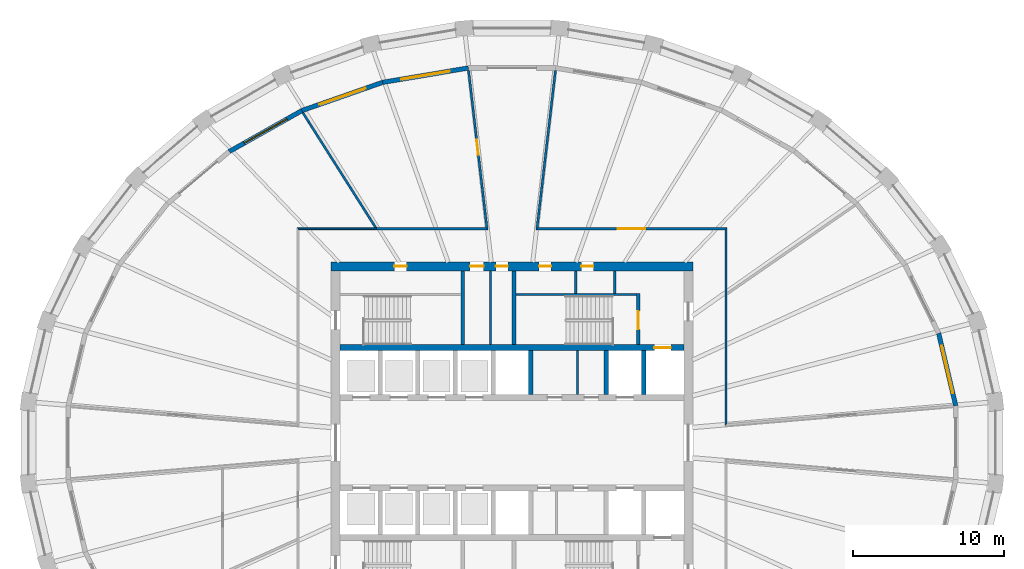
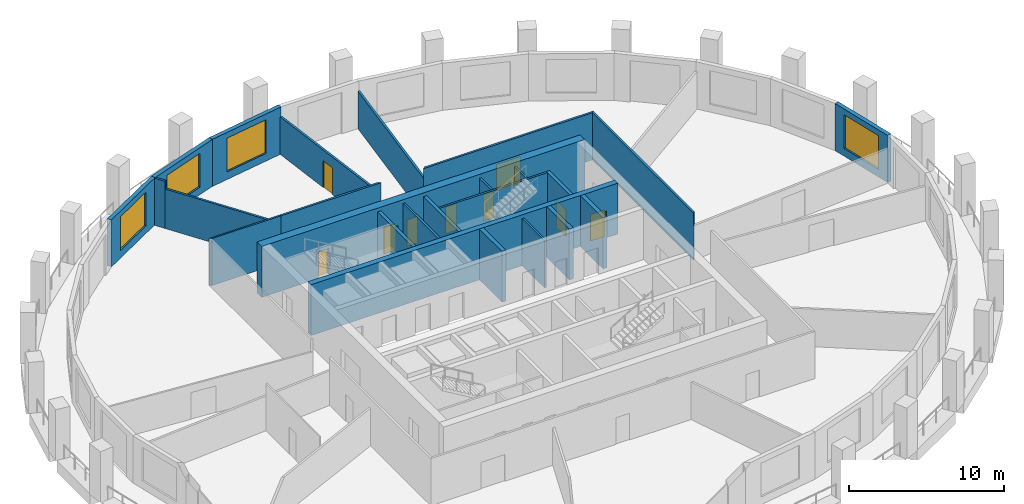
# One storey, part 6 of 10: 25 walls, 9 doors, 4 windows, 13 openings.
"""IFC4 building model written with IfcOpenShell, lengths in metres."""

from ifc_helpers import new_model, si_unit, direction, frame, frame_2d, origin, place, context, subcontext, project, spatial, polyline, rectangle, outline, extrude, material, layer, layer_set, type_object, element, fill, save


model = new_model("IFC4")

# Units and contexts
model_context = context("Model", 3, precision=1e-05, world=origin(), true_north=direction((0.0, 1.0)))
body_context = subcontext(model_context, "Body", "Model", "MODEL_VIEW")
ifc_project = project(units=[si_unit("LENGTHUNIT", "METRE"), si_unit("AREAUNIT", "SQUARE_METRE"), si_unit("VOLUMEUNIT", "CUBIC_METRE"), si_unit("PLANEANGLEUNIT", "RADIAN"), si_unit("MASSUNIT", "GRAM", prefix="KILO")], contexts=[model_context])

# Site, building, storey
site_placement = place(None, origin())
site = spatial("IfcSite", under=ifc_project, at=site_placement, CompositionType="ELEMENT")
building_placement = place(site_placement, origin())
building = spatial("IfcBuilding", under=site, at=building_placement, Name="Halqa Exchange Tower", CompositionType="ELEMENT")
storey_placement = place(building_placement, frame((0.0, 0.0, 206.89990234375)))
storey = spatial("IfcBuildingStorey", under=building, at=storey_placement, Name="L47", CompositionType="ELEMENT", Elevation=206.89990234375)

# Walls
ifc_material_1 = material(Name="Fire-rated gypsum board")
ifc_layer_1 = layer(ifc_material_1, 0.14990234375)
ifc_layer_set_1 = layer_set([ifc_layer_1], Name="Fire-rated gypsum board")
wall_type_1 = type_object("IfcWallType", Name="Fire partition EI 60 150", PredefinedType="PARTITIONING", material=ifc_layer_set_1)
wall_1_placement = place(storey_placement, frame((-9.022216796875, 14.235107421875, 0.0), z_axis=(0.0, 0.0, 1.0), x_axis=(-0.535448600055, 0.844567816519, 0.0)))
element("IfcWall", 1, at=wall_1_placement, inside=storey, type_object=wall_type_1, Name="L47-PWL-009", PredefinedType="PARTITIONING", context=body_context, shape_type="SweptSolid", body=[
    extrude(outline(polyline([(8.31884765625, 0.074951171875), (6.67041015625, 0.074951171875), (5.022216796875, 0.074951171875), (3.373779296875, 0.074951171875), (1.725341796875, 0.074951171875), (0.076904296875, 0.074951171875), (0.009033203125, -0.031982421875), (0.021728515625, -0.0400390625), (0.0, -0.074462890625), (0.0, -0.074951171875), (1.663818359375, -0.074951171875), (3.32763671875, -0.074951171875), (4.9912109375, -0.074951171875), (6.655029296875, -0.074951171875), (8.31884765625, -0.074951171875), (8.31884765625, 0.074951171875)])), origin(), (0.0, 0.0, 1.0), 3.10009765625),
])
wall_2_placement = place(storey_placement, frame((-9.0, 14.199951171875, 0.0), z_axis=(0.0, 0.0, 1.0), x_axis=(1.0, 0.0, 0.0)))
element("IfcWall", 2, at=wall_2_placement, inside=storey, type_object=wall_type_1, Name="L47-PWL-010", PredefinedType="PARTITIONING", context=body_context, shape_type="SweptSolid", body=[
    extrude(outline(polyline([(0.0, -0.074951171875), (1.85595703125, -0.074951171875), (3.712158203125, -0.074951171875), (5.568115234375, -0.074951171875), (7.42431640625, -0.074951171875), (7.255859375, 0.074951171875), (5.44189453125, 0.074951171875), (3.6279296875, 0.074951171875), (1.81396484375, 0.074951171875), (0.0, 0.074951171875), (0.0, -0.074951171875)])), origin(), (0.0, 0.0, 1.0), 3.7001953125),
])

# Wall, opening, door
wall_3_placement = place(storey_placement, frame((-1.650146484375, 14.1162109375, 0.0), z_axis=(0.0, 0.0, 1.0), x_axis=(-0.115779808049, 0.99327490457, 0.0)))
wall_3 = element("IfcWall", 3, at=wall_3_placement, inside=storey, type_object=wall_type_1, Name="L47-PWL-012", PredefinedType="PARTITIONING", context=body_context, shape_type="SweptSolid", body=[
    extrude(outline(polyline([(0.0, -0.074951171875), (1.776611328125, -0.074951171875), (3.552978515625, -0.074951171875), (5.329345703125, -0.074951171875), (7.105712890625, -0.074951171875), (8.88232421875, -0.074951171875), (10.65869140625, -0.074951171875), (10.66357421875, -0.032958984375), (10.66357421875, 0.074951171875), (8.914306640625, 0.074951171875), (7.165283203125, 0.074951171875), (5.416015625, 0.074951171875), (3.666748046875, 0.074951171875), (1.917724609375, 0.074951171875), (0.16845703125, 0.074951171875), (0.08447265625, 0.0), (0.0, -0.074951171875)])), origin(), (0.0, 0.0, 1.0), 2.947021484375),
])
opening_1_placement = place(wall_3_placement, frame((5.02587890625, 0.0, 0.0)))
opening_1 = element("IfcOpeningElement", 4, at=opening_1_placement, cuts=wall_3, Name="Opening 14-01", PredefinedType="OPENING", context=body_context, shape_type="SweptSolid", body=[
    extrude(rectangle(XDim=1.0, YDim=2.10009765625, at=frame_2d((0.5, 1.050048828125))), frame((0.0, 0.0869140625, 0.0), z_axis=(0.0, -1.0, 0.0), x_axis=(1.0, 0.0, 0.0)), (0.0, 0.0, 1.0), 0.173828125),
])
ifc_material_2 = material(Name="Steel fire door leaf", Category="steel")
door_type_1 = type_object("IfcDoorType", Name="Fire door FD30S 1000 x 2100", OperationType="SINGLE_SWING_LEFT", PredefinedType="DOOR", material=ifc_material_2)
door_1_placement = place(opening_1_placement, origin())
door_1 = element("IfcDoor", 5, at=door_1_placement, inside=storey, type_object=door_type_1, Name="L47-IDR-001", OperationType="SINGLE_SWING_LEFT", OverallHeight=2.10009765625, OverallWidth=1.0, PredefinedType="DOOR", context=body_context, shape_type="SweptSolid", body=[
    extrude(rectangle(XDim=1.0, YDim=2.10009765625, at=frame_2d((0.5, 1.050048828125))), frame((0.0, 0.02490234375, 0.0), z_axis=(0.0, -1.0, 0.0), x_axis=(1.0, 0.0, 0.0)), (0.0, 0.0, 1.0), 0.050048828125),
])
fill(opening_1, door_1)

wall_4_placement = place(storey_placement, frame((1.57568359375, 14.199951171875, 0.0), z_axis=(0.0, 0.0, 1.0), x_axis=(1.0, 0.0, 0.0)))
wall_4 = element("IfcWall", 6, at=wall_4_placement, inside=storey, type_object=wall_type_1, Name="L47-PWL-013", PredefinedType="PARTITIONING", context=body_context, shape_type="SweptSolid", body=[
    extrude(outline(polyline([(0.0, -0.074951171875), (1.792724609375, -0.074951171875), (3.58544921875, -0.074951171875), (5.37841796875, -0.074951171875), (7.171142578125, -0.074951171875), (8.9638671875, -0.074951171875), (10.756591796875, -0.074951171875), (12.54931640625, -0.074951171875), (12.69921875, 0.074951171875), (10.9091796875, 0.074951171875), (9.118896484375, 0.074951171875), (7.328857421875, 0.074951171875), (5.538818359375, 0.074951171875), (3.748779296875, 0.074951171875), (1.95849609375, 0.074951171875), (0.16845703125, 0.074951171875), (0.0, -0.074951171875)])), origin(), (0.0, 0.0, 1.0), 3.7001953125),
])
opening_2_placement = place(wall_4_placement, frame((5.4541015625, 0.0, 0.0)))
opening_2 = element("IfcOpeningElement", 7, at=opening_2_placement, cuts=wall_4, Name="Opening 14-09", PredefinedType="OPENING", context=body_context, shape_type="SweptSolid", body=[
    extrude(rectangle(XDim=1.800048828125, YDim=2.10009765625, at=frame_2d((0.89990234375, 1.050048828125))), frame((0.0, 0.0869140625, 0.0), z_axis=(0.0, -1.0, 0.0), x_axis=(1.0, 0.0, 0.0)), (0.0, 0.0, 1.0), 0.173828125),
])
door_type_2 = type_object("IfcDoorType", Name="Fire door FD30S double 1800 x 2100", OperationType="DOUBLE_DOOR_SINGLE_SWING", PredefinedType="DOOR", material=ifc_material_2)
door_2_placement = place(opening_2_placement, origin())
door_2 = element("IfcDoor", 8, at=door_2_placement, inside=storey, type_object=door_type_2, Name="L47-IDR-009", OperationType="DOUBLE_DOOR_SINGLE_SWING", OverallHeight=2.10009765625, OverallWidth=1.800048828125, PredefinedType="DOOR", context=body_context, shape_type="SweptSolid", body=[
    extrude(rectangle(XDim=1.800048828125, YDim=2.10009765625, at=frame_2d((0.89990234375, 1.050048828125))), frame((0.0, 0.02490234375, 0.0), z_axis=(0.0, -1.0, 0.0), x_axis=(1.0, 0.0, 0.0)), (0.0, 0.0, 1.0), 0.050048828125),
])
fill(opening_2, door_2)

# Walls
wall_5_placement = place(storey_placement, frame((2.884765625, 24.7080078125, 0.0), z_axis=(0.0, 0.0, 1.0), x_axis=(-0.115779808049, -0.99327490457, 0.0)))
element("IfcWall", 9, at=wall_5_placement, inside=storey, type_object=wall_type_1, Name="L47-PWL-014", PredefinedType="PARTITIONING", context=body_context, shape_type="SweptSolid", body=[
    extrude(outline(polyline([(0.0048828125, -0.074951171875), (1.78125, -0.074951171875), (3.5576171875, -0.074951171875), (5.334228515625, -0.074951171875), (7.110595703125, -0.074951171875), (8.886962890625, -0.074951171875), (10.663330078125, -0.074951171875), (10.5791015625, 0.0), (10.4951171875, 0.074951171875), (8.745849609375, 0.074951171875), (6.99658203125, 0.074951171875), (5.24755859375, 0.074951171875), (3.498291015625, 0.074951171875), (1.749267578125, 0.074951171875), (0.0, 0.074951171875), (0.0, -0.03369140625), (0.0048828125, -0.074951171875)])), origin(), (0.0, 0.0, 1.0), 2.947021484375),
])
wall_6_placement = place(storey_placement, frame((14.199951171875, 1.098388671875, 0.0), z_axis=(0.0, 0.0, 1.0), x_axis=(0.0, 1.0, 0.0)))
element("IfcWall", 10, at=wall_6_placement, inside=storey, type_object=wall_type_1, Name="L47-PWL-018", PredefinedType="PARTITIONING", context=body_context, shape_type="SweptSolid", body=[
    extrude(outline(polyline([(0.1630859375, -0.074951171875), (2.02197265625, -0.074951171875), (3.881103515625, -0.074951171875), (5.740234375, -0.074951171875), (7.599365234375, -0.074951171875), (9.458251953125, -0.074951171875), (11.3173828125, -0.074951171875), (13.176513671875, -0.074951171875), (13.026611328125, 0.074951171875), (11.165771484375, 0.074951171875), (9.3046875, 0.074951171875), (7.44384765625, 0.074951171875), (5.5830078125, 0.074951171875), (3.721923828125, 0.074951171875), (1.861083984375, 0.074951171875), (0.0, 0.074951171875), (0.1630859375, -0.074951171875)])), origin(), (0.0, 0.0, 1.0), 3.7001953125),
])
wall_7_placement = place(storey_placement, frame((-13.4765625, 21.260986328125, 0.0), z_axis=(0.0, 0.0, 1.0), x_axis=(-0.53535127514, 0.844629511802, 0.0)))
element("IfcWall", 11, at=wall_7_placement, inside=storey, type_object=wall_type_1, Name="L47-PWL-022", PredefinedType="PARTITIONING", context=body_context, shape_type="SweptSolid", body=[
    extrude(outline(polyline([(0.0, -0.074951171875), (0.73681640625, -0.074951171875), (0.753173828125, -0.004150390625), (0.757080078125, 0.069580078125), (0.757080078125, 0.074951171875), (0.0, 0.074951171875), (0.0, -0.074951171875)])), origin(), (0.0, 0.0, 1.0), 3.7001953125),
])
ifc_material_3 = material(Name="Fire-rated glazing", Category="glass")
ifc_layer_2 = layer(ifc_material_3, 0.1201171875)
ifc_layer_set_2 = layer_set([ifc_layer_2], Name="Fire-rated glazing")
wall_type_2 = type_object("IfcWallType", Name="Glazed fire partition EI 60 120", PredefinedType="PARTITIONING", material=ifc_layer_set_2)
wall_8_placement = place(storey_placement, frame((-14.260009765625, 14.199951171875, 0.0), z_axis=(0.0, 0.0, 1.0), x_axis=(1.0, 0.0, 0.0)))
element("IfcWall", 12, at=wall_8_placement, inside=storey, type_object=wall_type_2, Name="L47-PWL-008", PredefinedType="PARTITIONING", context=body_context, shape_type="SweptSolid", body=[
    extrude(outline(polyline([(5.260009765625, 0.06005859375), (3.506591796875, 0.06005859375), (1.75341796875, 0.06005859375), (0.0, 0.06005859375), (0.1201171875, -0.06005859375), (1.83349609375, -0.06005859375), (3.546630859375, -0.06005859375), (5.260009765625, -0.06005859375), (5.260009765625, 0.06005859375)])), origin(), (0.0, 0.0, 1.0), 3.7001953125),
])
ifc_material_4 = material(Name="Gypsum board")
ifc_layer_3 = layer(ifc_material_4, 0.14990234375)
ifc_layer_set_3 = layer_set([ifc_layer_3], Name="Gypsum board")
wall_type_3 = type_object("IfcWallType", Name="Penthouse riser wall 150 gypsum", PredefinedType="PARTITIONING", material=ifc_layer_set_3)
wall_9_placement = place(storey_placement, frame((-1.425048828125, 6.5, 0.0), z_axis=(0.0, 0.0, 1.0), x_axis=(0.0, 1.0, 0.0)))
element("IfcWall", 13, at=wall_9_placement, inside=storey, type_object=wall_type_3, Name="Partition W1.425 N", PredefinedType="PARTITIONING", context=body_context, shape_type="SweptSolid", body=[
    extrude(rectangle(XDim=4.89990234375, YDim=0.14990234375, at=frame_2d((2.449951171875, 0.0))), origin(), (0.0, 0.0, 1.0), 3.7001953125),
])
for number, where, z_axis, x_axis, name in (
    (14, (4.22509765625, 9.89990234375, 0.0), (0.0, 0.0, 1.0), (0.0, 1.0, 0.0), "Partition E4.225 N"),
    (15, (6.824951171875, 9.89990234375, 0.0), (0.0, 0.0, 1.0), (0.0, 1.0, 0.0), "Firefighting lobby west wall N"),
):
    element("IfcWall", number, at=place(storey_placement, frame(where, z_axis=z_axis, x_axis=x_axis)), inside=storey, type_object=wall_type_3, Name=name, PredefinedType="PARTITIONING", context=body_context, shape_type="SweptSolid", body=[
        extrude(rectangle(XDim=1.5, YDim=0.14990234375, at=frame_2d((0.75, 0.0))), origin(), (0.0, 0.0, 1.0), 3.7001953125),
    ])
wall_10_placement = place(storey_placement, frame((4.35009765625, 3.199951171875, 0.0), z_axis=(0.0, 0.0, 1.0), x_axis=(0.0, 1.0, 0.0)))
element("IfcWall", 16, at=wall_10_placement, inside=storey, type_object=wall_type_3, Name="Freed bay partition NE4.350", PredefinedType="PARTITIONING", context=body_context, shape_type="SweptSolid", body=[
    extrude(rectangle(XDim=2.900146484375, YDim=0.14990234375, at=frame_2d((1.4501953125, 0.0))), origin(), (0.0, 0.0, 1.0), 3.7001953125),
])
ifc_material_5 = material(Name="Concrete C60/75", Category="concrete")
ifc_layer_4 = layer(ifc_material_5, 0.300048828125)
ifc_layer_set_4 = layer_set([ifc_layer_4], Name="Concrete C60/75")
wall_type_4 = type_object("IfcWallType", Name="RC core wall 300", PredefinedType="SHEAR", material=ifc_layer_set_4)
for number, where, z_axis, x_axis, name in (
    (17, (1.25, 3.199951171875, 0.0), (0.0, 0.0, 1.0), (0.0, 1.0, 0.0), "Shaft divider N5"),
    (18, (6.25, 3.199951171875, 0.0), (0.0, 0.0, 1.0), (0.0, 1.0, 0.0), "Shaft divider N7"),
    (19, (8.75, 3.199951171875, 0.0), (0.0, 0.0, 1.0), (0.0, 1.0, 0.0), "Shaft divider N8"),
):
    element("IfcWall", number, at=place(storey_placement, frame(where, z_axis=z_axis, x_axis=x_axis)), inside=storey, type_object=wall_type_4, Name=name, PredefinedType="SHEAR", context=body_context, shape_type="SweptSolid", body=[
        extrude(rectangle(XDim=2.900146484375, YDim=0.300048828125, at=frame_2d((1.4501953125, 0.0))), origin(), (0.0, 0.0, 1.0), 4.0),
    ])

# Wall, opening, door
ifc_material_6 = material(Name="Concrete C70/85", Category="concrete")
ifc_layer_5 = layer(ifc_material_6, 0.39990234375)
ifc_layer_set_5 = layer_set([ifc_layer_5], Name="Concrete C70/85")
wall_type_5 = type_object("IfcWallType", Name="RC core wall 400 C70/85", PredefinedType="SHEAR", material=ifc_layer_set_5)
wall_11_placement = place(storey_placement, frame((-11.39990234375, 6.300048828125, 0.0), z_axis=(0.0, 0.0, 1.0), x_axis=(1.0, 0.0, 0.0)))
wall_11 = element("IfcWall", 20, at=wall_11_placement, inside=storey, type_object=wall_type_5, Name="Lift row back wall N", PredefinedType="SHEAR", context=body_context, shape_type="SweptSolid", body=[
    extrude(rectangle(XDim=22.7998046875, YDim=0.39990234375, at=frame_2d((11.39990234375, 0.0))), origin(), (0.0, 0.0, 1.0), 4.0),
])
opening_3_placement = place(wall_11_placement, frame((20.85009765625, 0.0, 0.0)))
opening_3 = element("IfcOpeningElement", 21, at=opening_3_placement, cuts=wall_11, Name="Opening LD-FF1-T14", PredefinedType="OPENING", context=body_context, shape_type="SweptSolid", body=[
    extrude(rectangle(XDim=1.10009765625, YDim=2.10009765625, at=frame_2d((0.550048828125, 1.050048828125))), frame((0.0, 0.2119140625, 0.0), z_axis=(0.0, -1.0, 0.0), x_axis=(1.0, 0.0, 0.0)), (0.0, 0.0, 1.0), 0.423828125),
])
ifc_material_7 = material(Name="Stainless steel", Category="steel")
door_type_3 = type_object("IfcDoorType", Name="Lift landing door 1100 x 2100", OperationType="SLIDING_TO_LEFT", PredefinedType="DOOR", material=ifc_material_7)
door_3_placement = place(opening_3_placement, origin())
door_3 = element("IfcDoor", 22, at=door_3_placement, inside=storey, type_object=door_type_3, Name="Lift landing door FF1", OperationType="SLIDING_TO_LEFT", OverallHeight=2.10009765625, OverallWidth=1.10009765625, PredefinedType="DOOR", context=body_context, shape_type="SweptSolid", body=[
    extrude(rectangle(XDim=1.10009765625, YDim=2.10009765625, at=frame_2d((0.550048828125, 1.050048828125))), frame((0.0, 0.02490234375, 0.0), z_axis=(0.0, -1.0, 0.0), x_axis=(1.0, 0.0, 0.0)), (0.0, 0.0, 1.0), 0.050048828125),
])
fill(opening_3, door_3)

# Wall, openings, doors
ifc_layer_6 = layer(ifc_material_6, 0.60009765625)
ifc_layer_set_6 = layer_set([ifc_layer_6], Name="Concrete C70/85")
wall_type_6 = type_object("IfcWallType", Name="RC core wall 600 C70/85", PredefinedType="SHEAR", material=ifc_layer_set_6)
wall_12_placement = place(storey_placement, frame((-12.0, 11.699951171875, 0.0), z_axis=(0.0, 0.0, 1.0), x_axis=(1.0, 0.0, 0.0)))
wall_12 = element("IfcWall", 23, at=wall_12_placement, inside=storey, type_object=wall_type_6, Name="Core wall north", PredefinedType="SHEAR", context=body_context, shape_type="SweptSolid", body=[
    extrude(rectangle(XDim=24.0, YDim=0.60009765625, at=frame_2d((12.0, 0.0))), origin(), (0.0, 0.0, 1.0), 4.0),
])
opening_4_placement = place(wall_12_placement, frame((9.22509765625, 0.0, 0.0)))
opening_4 = element("IfcOpeningElement", 24, at=opening_4_placement, cuts=wall_12, Name="Opening T14-C21", PredefinedType="OPENING", context=body_context, shape_type="SweptSolid", body=[
    extrude(rectangle(XDim=0.89990234375, YDim=2.10009765625, at=frame_2d((0.449951171875, 1.050048828125))), frame((0.0, 0.31201171875, 0.0), z_axis=(0.0, -1.0, 0.0), x_axis=(1.0, 0.0, 0.0)), (0.0, 0.0, 1.0), 0.6240234375),
])
opening_5_placement = place(wall_12_placement, frame((10.925048828125, 0.0, 0.0)))
opening_5 = element("IfcOpeningElement", 25, at=opening_5_placement, cuts=wall_12, Name="Opening T14-C22", PredefinedType="OPENING", context=body_context, shape_type="SweptSolid", body=[
    extrude(rectangle(XDim=0.800048828125, YDim=2.10009765625, at=frame_2d((0.39990234375, 1.050048828125))), frame((0.0, 0.31201171875, 0.0), z_axis=(0.0, -1.0, 0.0), x_axis=(1.0, 0.0, 0.0)), (0.0, 0.0, 1.0), 0.6240234375),
])
opening_6_placement = place(wall_12_placement, frame((4.199951171875, 0.0, 0.0)))
opening_6 = element("IfcOpeningElement", 26, at=opening_6_placement, cuts=wall_12, Name="Opening T14-C23", PredefinedType="OPENING", context=body_context, shape_type="SweptSolid", body=[
    extrude(rectangle(XDim=0.800048828125, YDim=2.10009765625, at=frame_2d((0.39990234375, 1.050048828125))), frame((0.0, 0.31201171875, 0.0), z_axis=(0.0, -1.0, 0.0), x_axis=(1.0, 0.0, 0.0)), (0.0, 0.0, 1.0), 0.6240234375),
])
opening_7_placement = place(wall_12_placement, frame((13.800048828125, 0.0, 0.0)))
opening_7 = element("IfcOpeningElement", 27, at=opening_7_placement, cuts=wall_12, Name="Opening T14-C24", PredefinedType="OPENING", context=body_context, shape_type="SweptSolid", body=[
    extrude(rectangle(XDim=0.800048828125, YDim=2.10009765625, at=frame_2d((0.39990234375, 1.050048828125))), frame((0.0, 0.31201171875, 0.0), z_axis=(0.0, -1.0, 0.0), x_axis=(1.0, 0.0, 0.0)), (0.0, 0.0, 1.0), 0.6240234375),
])
opening_8_placement = place(wall_12_placement, frame((16.60009765625, 0.0, 0.0)))
opening_8 = element("IfcOpeningElement", 28, at=opening_8_placement, cuts=wall_12, Name="Opening T14-C25", PredefinedType="OPENING", context=body_context, shape_type="SweptSolid", body=[
    extrude(rectangle(XDim=0.800048828125, YDim=2.10009765625, at=frame_2d((0.39990234375, 1.050048828125))), frame((0.0, 0.31201171875, 0.0), z_axis=(0.0, -1.0, 0.0), x_axis=(1.0, 0.0, 0.0)), (0.0, 0.0, 1.0), 0.6240234375),
])
ifc_material_8 = material(Name="Timber fire door leaf", Category="wood")
door_type_4 = type_object("IfcDoorType", Name="Core room door FD30 900 x 2100", OperationType="SINGLE_SWING_LEFT", PredefinedType="DOOR", material=ifc_material_8)
door_4_placement = place(opening_4_placement, frame((0.89990234375, 0.0, 0.0), z_axis=(0.0, 0.0, 1.0), x_axis=(-1.0, 0.0, 0.0)))
door_4 = element("IfcDoor", 29, at=door_4_placement, inside=storey, type_object=door_type_4, Name="Core room door", OperationType="SINGLE_SWING_RIGHT", OverallHeight=2.10009765625, OverallWidth=0.89990234375, PredefinedType="DOOR", context=body_context, shape_type="SweptSolid", body=[
    extrude(rectangle(XDim=0.89990234375, YDim=2.10009765625, at=frame_2d((0.449951171875, 1.050048828125))), frame((0.0, 0.02490234375, 0.0), z_axis=(0.0, -1.0, 0.0), x_axis=(1.0, 0.0, 0.0)), (0.0, 0.0, 1.0), 0.050048828125),
])
fill(opening_4, door_4)
door_type_5 = type_object("IfcDoorType", Name="Riser door FD60 800 x 2100", OperationType="SINGLE_SWING_LEFT", PredefinedType="DOOR", material=ifc_material_2)
door_5_placement = place(opening_5_placement, frame((0.800048828125, 0.0, 0.0), z_axis=(0.0, 0.0, 1.0), x_axis=(-1.0, 0.0, 0.0)))
door_5 = element("IfcDoor", 30, at=door_5_placement, inside=storey, type_object=door_type_5, Name="Core room door", OperationType="SINGLE_SWING_RIGHT", OverallHeight=2.10009765625, OverallWidth=0.800048828125, PredefinedType="DOOR", context=body_context, shape_type="SweptSolid", body=[
    extrude(rectangle(XDim=0.800048828125, YDim=2.10009765625, at=frame_2d((0.39990234375, 1.050048828125))), frame((0.0, 0.02490234375, 0.0), z_axis=(0.0, -1.0, 0.0), x_axis=(1.0, 0.0, 0.0)), (0.0, 0.0, 1.0), 0.050048828125),
])
fill(opening_5, door_5)
door_6_placement = place(opening_6_placement, frame((0.800048828125, 0.0, 0.0), z_axis=(0.0, 0.0, 1.0), x_axis=(-1.0, 0.0, 0.0)))
door_6 = element("IfcDoor", 31, at=door_6_placement, inside=storey, type_object=door_type_5, Name="Core room door", OperationType="SINGLE_SWING_RIGHT", OverallHeight=2.10009765625, OverallWidth=0.800048828125, PredefinedType="DOOR", context=body_context, shape_type="SweptSolid", body=[
    extrude(rectangle(XDim=0.800048828125, YDim=2.10009765625, at=frame_2d((0.39990234375, 1.050048828125))), frame((0.0, 0.02490234375, 0.0), z_axis=(0.0, -1.0, 0.0), x_axis=(1.0, 0.0, 0.0)), (0.0, 0.0, 1.0), 0.050048828125),
])
fill(opening_6, door_6)
door_7_placement = place(opening_7_placement, frame((0.800048828125, 0.0, 0.0), z_axis=(0.0, 0.0, 1.0), x_axis=(-1.0, 0.0, 0.0)))
door_7 = element("IfcDoor", 32, at=door_7_placement, inside=storey, type_object=door_type_5, Name="Core room door", OperationType="SINGLE_SWING_LEFT", OverallHeight=2.10009765625, OverallWidth=0.800048828125, PredefinedType="DOOR", context=body_context, shape_type="SweptSolid", body=[
    extrude(rectangle(XDim=0.800048828125, YDim=2.10009765625, at=frame_2d((0.39990234375, 1.050048828125))), frame((0.0, 0.02490234375, 0.0), z_axis=(0.0, -1.0, 0.0), x_axis=(1.0, 0.0, 0.0)), (0.0, 0.0, 1.0), 0.050048828125),
])
fill(opening_7, door_7)
door_8_placement = place(opening_8_placement, frame((0.800048828125, 0.0, 0.0), z_axis=(0.0, 0.0, 1.0), x_axis=(-1.0, 0.0, 0.0)))
door_8 = element("IfcDoor", 33, at=door_8_placement, inside=storey, type_object=door_type_5, Name="Core room door", OperationType="SINGLE_SWING_LEFT", OverallHeight=2.10009765625, OverallWidth=0.800048828125, PredefinedType="DOOR", context=body_context, shape_type="SweptSolid", body=[
    extrude(rectangle(XDim=0.800048828125, YDim=2.10009765625, at=frame_2d((0.39990234375, 1.050048828125))), frame((0.0, 0.02490234375, 0.0), z_axis=(0.0, -1.0, 0.0), x_axis=(1.0, 0.0, 0.0)), (0.0, 0.0, 1.0), 0.050048828125),
])
fill(opening_8, door_8)

# Walls
ifc_material_9 = material(Name="Concrete C30/37", Category="concrete")
ifc_layer_7 = layer(ifc_material_9, 0.14990234375)
ifc_layer_set_7 = layer_set([ifc_layer_7], Name="Concrete C30/37")
wall_type_7 = type_object("IfcWallType", Name="RC stair wall 150 C30/37", PredefinedType="SHEAR", material=ifc_layer_set_7)
wall_13_placement = place(storey_placement, frame((0.25, 9.824951171875, 0.0), z_axis=(0.0, 0.0, 1.0), x_axis=(1.0, 0.0, 0.0)))
element("IfcWall", 34, at=wall_13_placement, inside=storey, type_object=wall_type_7, Name="Stair ST2 north wall N", PredefinedType="SHEAR", context=body_context, shape_type="SweptSolid", body=[
    extrude(rectangle(XDim=8.0, YDim=0.14990234375, at=frame_2d((4.0, 0.0))), origin(), (0.0, 0.0, 1.0), 3.7001953125),
])
ifc_layer_8 = layer(ifc_material_9, 0.25)
ifc_layer_set_8 = layer_set([ifc_layer_8], Name="Concrete C30/37")
wall_type_8 = type_object("IfcWallType", Name="RC stair wall 250 C30/37", PredefinedType="SHEAR", material=ifc_layer_set_8)
for number, where, z_axis, x_axis, name in (
    (35, (-3.27490234375, 6.5, 0.0), (0.0, 0.0, 1.0), (0.0, 1.0, 0.0), "Stair ST1 east wall N"),
    (36, (0.125, 6.5, 0.0), (0.0, 0.0, 1.0), (0.0, 1.0, 0.0), "Stair ST2 west wall N"),
):
    element("IfcWall", number, at=place(storey_placement, frame(where, z_axis=z_axis, x_axis=x_axis)), inside=storey, type_object=wall_type_8, Name=name, PredefinedType="SHEAR", context=body_context, shape_type="SweptSolid", body=[
        extrude(rectangle(XDim=4.89990234375, YDim=0.25, at=frame_2d((2.449951171875, 0.0))), origin(), (0.0, 0.0, 1.0), 3.7001953125),
    ])

# Wall, opening, door
wall_14_placement = place(storey_placement, frame((8.375, 6.5, 0.0), z_axis=(0.0, 0.0, 1.0), x_axis=(0.0, 1.0, 0.0)))
wall_14 = element("IfcWall", 37, at=wall_14_placement, inside=storey, type_object=wall_type_8, Name="Stair ST2 east wall N", PredefinedType="SHEAR", context=body_context, shape_type="SweptSolid", body=[
    extrude(rectangle(XDim=3.39990234375, YDim=0.25, at=frame_2d((1.699951171875, 0.0))), origin(), (0.0, 0.0, 1.0), 3.7001953125),
])
opening_9_placement = place(wall_14_placement, frame((1.02490234375, 0.0, 0.0)))
opening_9 = element("IfcOpeningElement", 38, at=opening_9_placement, cuts=wall_14, Name="Opening T14-C16", PredefinedType="OPENING", context=body_context, shape_type="SweptSolid", body=[
    extrude(rectangle(XDim=1.199951171875, YDim=2.10009765625, at=frame_2d((0.60009765625, 1.050048828125))), frame((0.0, 0.136962890625, 0.0), z_axis=(0.0, -1.0, 0.0), x_axis=(1.0, 0.0, 0.0)), (0.0, 0.0, 1.0), 0.27392578125),
])
door_type_6 = type_object("IfcDoorType", Name="Stair door FD90 1200 x 2100", OperationType="SINGLE_SWING_LEFT", PredefinedType="DOOR", material=ifc_material_2)
door_9_placement = place(opening_9_placement, origin())
door_9 = element("IfcDoor", 39, at=door_9_placement, inside=storey, type_object=door_type_6, Name="Stair door ST2", OperationType="SINGLE_SWING_LEFT", OverallHeight=2.10009765625, OverallWidth=1.199951171875, PredefinedType="DOOR", context=body_context, shape_type="SweptSolid", body=[
    extrude(rectangle(XDim=1.199951171875, YDim=2.10009765625, at=frame_2d((0.60009765625, 1.050048828125))), frame((0.0, 0.02490234375, 0.0), z_axis=(0.0, -1.0, 0.0), x_axis=(1.0, 0.0, 0.0)), (0.0, 0.0, 1.0), 0.050048828125),
])
fill(opening_9, door_9)

# Wall, opening, window
ifc_material_10 = material(Name="Limestone cladding", Category="masonry")
ifc_layer_9 = layer(ifc_material_10, 0.0400390625)
ifc_material_11 = material(Name="Ventilated cavity")
ifc_layer_10 = layer(ifc_material_11, 0.030029296875, ventilated=True)
ifc_material_12 = material(Name="Mineral wool insulation")
ifc_layer_11 = layer(ifc_material_12, 0.10009765625)
ifc_layer_12 = layer(ifc_material_9, 0.10009765625)
ifc_material_13 = material(Name="Internal plaster")
ifc_layer_13 = layer(ifc_material_13, 0.030029296875)
ifc_layer_set_9 = layer_set([ifc_layer_9, ifc_layer_10, ifc_layer_11, ifc_layer_12, ifc_layer_13], Name="Stone-faced insulated wall 300")
wall_type_9 = type_object("IfcWallType", Name="Stone-faced insulated wall 300", PredefinedType="STANDARD", material=ifc_layer_set_9)
wall_15_placement = place(storey_placement, frame((29.445068359375, 2.451416015625, 0.0), z_axis=(0.0, 0.0, 1.0), x_axis=(-0.229535186351, 0.973300363828, 0.0)))
wall_15 = element("IfcWall", 40, at=wall_15_placement, inside=storey, type_object=wall_type_9, Name="Glass-line wall 1", PredefinedType="STANDARD", context=body_context, shape_type="SweptSolid", body=[
    extrude(outline(polyline([(-0.017333984375, -0.14990234375), (4.956298828125, -0.14990234375), (4.922607421875, 0.14990234375), (0.017333984375, 0.14990234375), (-0.017333984375, -0.14990234375)])), origin(), (0.0, 0.0, 1.0), 3.7001953125),
])
opening_10_placement = place(wall_15_placement, frame((0.8447265625, 0.0, 0.60009765625)))
opening_10 = element("IfcOpeningElement", 41, at=opening_10_placement, cuts=wall_15, Name="Opening W-F3-01", PredefinedType="OPENING", context=body_context, shape_type="SweptSolid", body=[
    extrude(rectangle(XDim=3.25, YDim=2.64990234375, at=frame_2d((1.625, 1.324951171875))), frame((0.0, 0.162109375, 0.0), z_axis=(0.0, -1.0, 0.0), x_axis=(1.0, 0.0, 0.0)), (0.0, 0.0, 1.0), 0.323974609375),
])
ifc_material_14 = material(Name="Clear low-emissivity glass in aluminium frame", Category="aluminium")
window_type = type_object("IfcWindowType", Name="Fixed clear glazed window 3250 x 2650", PartitioningType="TRIPLE_PANEL_VERTICAL", PredefinedType="WINDOW", material=ifc_material_14)
window_1_placement = place(opening_10_placement, origin())
window_1 = element("IfcWindow", 42, at=window_1_placement, inside=storey, type_object=window_type, Name="Window 3", OverallHeight=2.64990234375, OverallWidth=3.25, PartitioningType="TRIPLE_PANEL_VERTICAL", PredefinedType="WINDOW", context=body_context, shape_type="SweptSolid", body=[
    extrude(rectangle(XDim=3.25, YDim=2.64990234375, at=frame_2d((1.625, 1.324951171875))), frame((0.0, 0.030029296875, 0.0), z_axis=(0.0, -1.0, 0.0), x_axis=(1.0, 0.0, 0.0)), (0.0, 0.0, 1.0), 0.06005859375),
])
fill(opening_10, window_1)

wall_16_placement = place(storey_placement, frame((-2.897705078125, 24.86181640625, 0.0), z_axis=(0.0, 0.0, 1.0), x_axis=(-0.98622052717, -0.165436005116, 0.0)))
wall_16 = element("IfcWall", 43, at=wall_16_placement, inside=storey, type_object=wall_type_9, Name="Glass-line wall 9", PredefinedType="STANDARD", context=body_context, shape_type="SweptSolid", body=[
    extrude(outline(polyline([(-0.012451171875, -0.14990234375), (5.77685546875, -0.14990234375), (5.75146484375, 0.14990234375), (0.012451171875, 0.14990234375), (-0.012451171875, -0.14990234375)])), origin(), (0.0, 0.0, 1.0), 3.7001953125),
])
opening_11_placement = place(wall_16_placement, frame((1.257080078125, 0.0, 0.60009765625)))
opening_11 = element("IfcOpeningElement", 44, at=opening_11_placement, cuts=wall_16, Name="Opening W-F3-09", PredefinedType="OPENING", context=body_context, shape_type="SweptSolid", body=[
    extrude(rectangle(XDim=3.25, YDim=2.64990234375, at=frame_2d((1.625, 1.324951171875))), frame((0.0, 0.162109375, 0.0), z_axis=(0.0, -1.0, 0.0), x_axis=(1.0, 0.0, 0.0)), (0.0, 0.0, 1.0), 0.323974609375),
])
window_2_placement = place(opening_11_placement, origin())
window_2 = element("IfcWindow", 45, at=window_2_placement, inside=storey, type_object=window_type, Name="Window 3", OverallHeight=2.64990234375, OverallWidth=3.25, PartitioningType="TRIPLE_PANEL_VERTICAL", PredefinedType="WINDOW", context=body_context, shape_type="SweptSolid", body=[
    extrude(rectangle(XDim=3.25, YDim=2.64990234375, at=frame_2d((1.625, 1.324951171875))), frame((0.0, 0.030029296875, 0.0), z_axis=(0.0, -1.0, 0.0), x_axis=(1.0, 0.0, 0.0)), (0.0, 0.0, 1.0), 0.06005859375),
])
fill(opening_11, window_2)

wall_17_placement = place(storey_placement, frame((-8.58251953125, 23.908203125, 0.0), z_axis=(0.0, 0.0, 1.0), x_axis=(-0.944023272224, -0.329878858824, 0.0)))
wall_17 = element("IfcWall", 46, at=wall_17_placement, inside=storey, type_object=wall_type_9, Name="Glass-line wall 10", PredefinedType="STANDARD", context=body_context, shape_type="SweptSolid", body=[
    extrude(outline(polyline([(-0.0126953125, -0.14990234375), (5.68701171875, -0.14990234375), (5.66015625, 0.14990234375), (0.0126953125, 0.14990234375), (-0.0126953125, -0.14990234375)])), origin(), (0.0, 0.0, 1.0), 3.7001953125),
])
opening_12_placement = place(wall_17_placement, frame((1.2119140625, 0.0, 0.60009765625)))
opening_12 = element("IfcOpeningElement", 47, at=opening_12_placement, cuts=wall_17, Name="Opening W-F3-10", PredefinedType="OPENING", context=body_context, shape_type="SweptSolid", body=[
    extrude(rectangle(XDim=3.25, YDim=2.64990234375, at=frame_2d((1.625, 1.324951171875))), frame((0.0, 0.162109375, 0.0), z_axis=(0.0, -1.0, 0.0), x_axis=(1.0, 0.0, 0.0)), (0.0, 0.0, 1.0), 0.323974609375),
])
window_3_placement = place(opening_12_placement, origin())
window_3 = element("IfcWindow", 48, at=window_3_placement, inside=storey, type_object=window_type, Name="Window 3", OverallHeight=2.64990234375, OverallWidth=3.25, PartitioningType="TRIPLE_PANEL_VERTICAL", PredefinedType="WINDOW", context=body_context, shape_type="SweptSolid", body=[
    extrude(rectangle(XDim=3.25, YDim=2.64990234375, at=frame_2d((1.625, 1.324951171875))), frame((0.0, 0.030029296875, 0.0), z_axis=(0.0, -1.0, 0.0), x_axis=(1.0, 0.0, 0.0)), (0.0, 0.0, 1.0), 0.06005859375),
])
fill(opening_12, window_3)

wall_18_placement = place(storey_placement, frame((-13.9384765625, 22.03662109375, 0.0), z_axis=(0.0, 0.0, 1.0), x_axis=(-0.871140546168, -0.491033755278, 0.0)))
wall_18 = element("IfcWall", 49, at=wall_18_placement, inside=storey, type_object=wall_type_9, Name="Glass-line wall 11", PredefinedType="STANDARD", context=body_context, shape_type="SweptSolid", body=[
    extrude(outline(polyline([(-0.013427734375, -0.14990234375), (5.549560546875, -0.14990234375), (5.521240234375, 0.14990234375), (0.013427734375, 0.14990234375), (-0.013427734375, -0.14990234375)])), origin(), (0.0, 0.0, 1.0), 3.7001953125),
])
opening_13_placement = place(wall_18_placement, frame((1.142578125, 0.0, 0.60009765625)))
opening_13 = element("IfcOpeningElement", 50, at=opening_13_placement, cuts=wall_18, Name="Opening W-F3-11", PredefinedType="OPENING", context=body_context, shape_type="SweptSolid", body=[
    extrude(rectangle(XDim=3.25, YDim=2.64990234375, at=frame_2d((1.625, 1.324951171875))), frame((0.0, 0.162109375, 0.0), z_axis=(0.0, -1.0, 0.0), x_axis=(1.0, 0.0, 0.0)), (0.0, 0.0, 1.0), 0.323974609375),
])
window_4_placement = place(opening_13_placement, origin())
window_4 = element("IfcWindow", 51, at=window_4_placement, inside=storey, type_object=window_type, Name="Window 3", OverallHeight=2.64990234375, OverallWidth=3.25, PartitioningType="TRIPLE_PANEL_VERTICAL", PredefinedType="WINDOW", context=body_context, shape_type="SweptSolid", body=[
    extrude(rectangle(XDim=3.25, YDim=2.64990234375, at=frame_2d((1.625, 1.324951171875))), frame((0.0, 0.030029296875, 0.0), z_axis=(0.0, -1.0, 0.0), x_axis=(1.0, 0.0, 0.0)), (0.0, 0.0, 1.0), 0.06005859375),
])
fill(opening_13, window_4)

save(model, "model.ifc")
